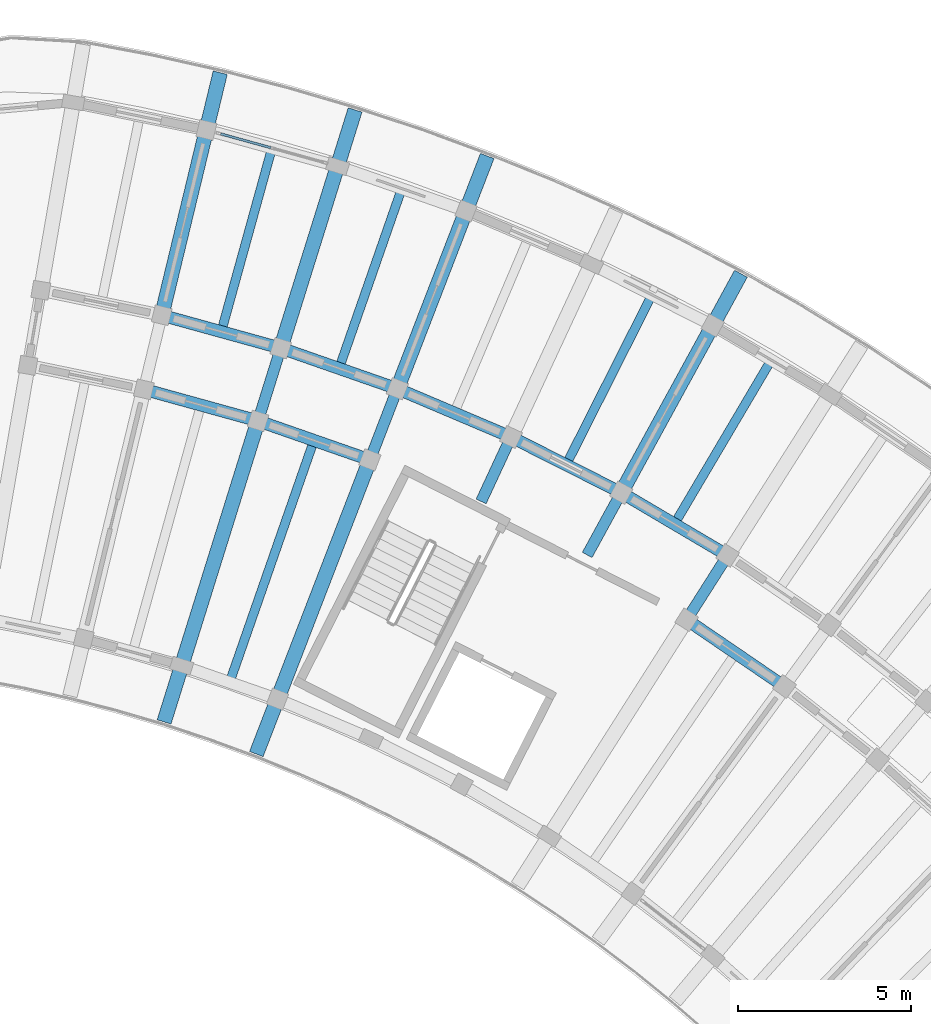
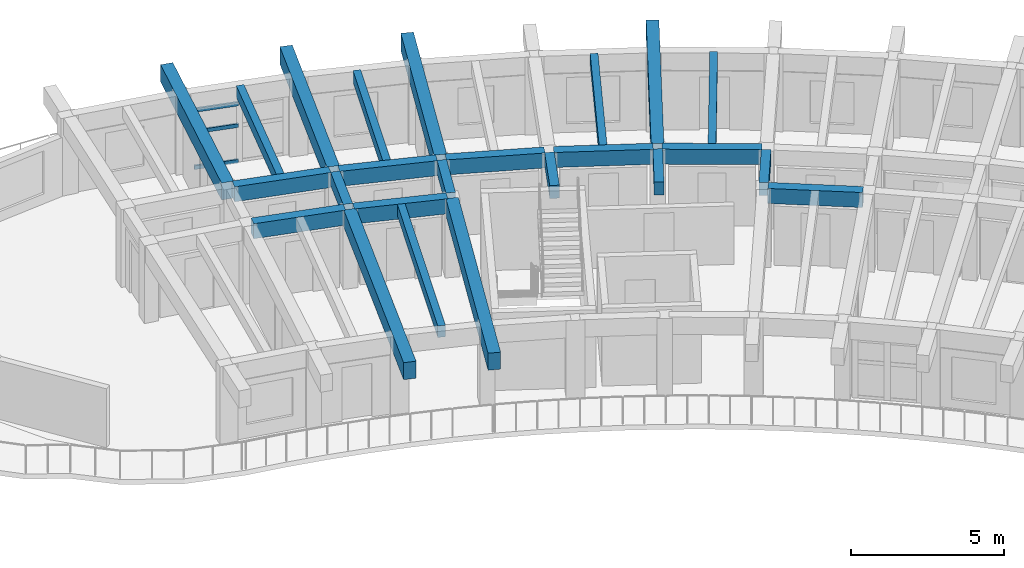
# One storey, part 29 of 83: 24 beams, 3 members, 1 element without a shape of its own.
"""IFC4 building model written with IfcOpenShell, lengths in metres."""

from ifc_helpers import new_model, si_unit, direction, frame, origin, origin_2d, place, context, subcontext, project, spatial, rectangle, hollow_rectangle, extrude, material, material_profile, profile_set, type_object, element, aggregate, save


model = new_model("IFC4")

# Units and contexts
model_context = context("Model", 3, precision=1e-05, world=origin(), true_north=direction((0.0, 1.0)))
body_context = subcontext(model_context, "Body", "Model", "MODEL_VIEW")
ifc_project = project(units=[si_unit("LENGTHUNIT", "METRE"), si_unit("AREAUNIT", "SQUARE_METRE"), si_unit("VOLUMEUNIT", "CUBIC_METRE"), si_unit("PLANEANGLEUNIT", "RADIAN"), si_unit("MASSUNIT", "GRAM", prefix="KILO")], contexts=[model_context])

# Site, building, storey
site_placement = place(None, origin())
site = spatial("IfcSite", under=ifc_project, at=site_placement, CompositionType="ELEMENT")
building_placement = place(site_placement, origin())
building = spatial("IfcBuilding", under=site, at=building_placement, Name="Tanwirah Colonnade Gardens", CompositionType="ELEMENT")
storey_placement = place(building_placement, frame((0.0, 0.0, 25.639892578125)))
storey = spatial("IfcBuildingStorey", under=building, at=storey_placement, Name="L07", CompositionType="ELEMENT", Elevation=25.639892578125)

# Beams
ifc_material_1 = material(Name="Precast concrete C40/50", Category="concrete")
ifc_material_profile_1 = material_profile(ifc_material_1, rectangle(XDim=0.320068359375, YDim=0.52001953125, at=origin_2d()), Name="PC-BM 320x520")
ifc_profile_set_1 = profile_set([ifc_material_profile_1], Name="Precast concrete C40/50")
beam_type_1 = type_object("IfcBeamType", Name="BM-PC320", PredefinedType="BEAM", material=ifc_profile_set_1)
for number, where, z_axis, x_axis, name in (
    (1, (148.89697265625, 104.08349609375, 2.85009765625), (0.536509579595, 0.843894229749, 0.0), (-0.843894229749, 0.536509579595, 0.0), "Block B L07 Corridor Tie Beam 11"),
    (2, (145.945068359375, 105.826171875, 2.85009765625), (0.479707235792, 0.877428611301, 0.0), (-0.877428611301, 0.479707235792, 0.0), "Block B L07 Corridor Tie Beam 12"),
    (3, (142.884765625, 107.37060546875, 2.85009765625), (0.420858322681, 0.90712638162, 0.0), (-0.90712638162, 0.420858322681, 0.0), "Block B L07 Corridor Tie Beam 13"),
    (4, (139.729248046875, 108.7099609375, 2.85009765625), (0.360175656082, 0.932884503444, 0.0), (-0.932884503444, 0.360175656082, 0.0), "Block B L07 Corridor Tie Beam 14"),
    (5, (136.492431640625, 109.838623046875, 2.85009765625), (0.297857918398, 0.954610213882, 0.0), (-0.954610213882, 0.297857918398, 0.0), "Block B L07 Corridor Tie Beam 15"),
):
    element("IfcBeam", number, at=place(storey_placement, frame(where, z_axis=z_axis, x_axis=x_axis)), inside=storey, type_object=beam_type_1, Name=name, PredefinedType="BEAM", context=body_context, shape_type="SweptSolid", body=[
        extrude(rectangle(XDim=0.320068359375, YDim=0.52001953125, at=origin_2d()), origin(), (0.0, 0.0, 1.0), 1.89990234375),
    ])
ifc_material_profile_2 = material_profile(ifc_material_1, rectangle(XDim=0.35009765625, YDim=0.60009765625, at=origin_2d()), Name="PC-BM 350x600")
ifc_profile_set_2 = profile_set([ifc_material_profile_2], Name="Precast concrete C40/50")
beam_type_2 = type_object("IfcBeamType", Name="BM-PC350B", PredefinedType="BEAM", material=ifc_profile_set_2)
beam_1_placement = place(storey_placement, frame((151.515380859375, 102.113525390625, 2.81005859375), z_axis=(-0.825758291455, 0.564024152047, 0.0), x_axis=(-0.564024152047, -0.825758291455, 0.0)))
element("IfcBeam", 6, at=beam_1_placement, inside=storey, type_object=beam_type_2, Name="Block B L07 Circumferential Beam 10-R1", PredefinedType="BEAM", context=body_context, shape_type="SweptSolid", body=[
    extrude(rectangle(XDim=0.35009765625, YDim=0.60009765625, at=origin_2d()), origin(), (0.0, 0.0, 1.0), 3.118408203125),
])
for number, where, z_axis, x_axis, name in (
    (7, (149.86767578125, 105.8896484375, 2.81005859375), (-0.861134978964, 0.508376384193, 0.0), (-0.508376384193, -0.861134978964, 0.0), "Block B L07 Circumferential Beam 11-R2"),
    (8, (146.794677734375, 107.6923828125, 2.81005859375), (-0.89276014323, 0.450532270387, 0.0), (-0.450532270387, -0.89276014323, 0.0), "Block B L07 Circumferential Beam 12-R2"),
):
    element("IfcBeam", number, at=place(storey_placement, frame(where, z_axis=z_axis, x_axis=x_axis)), inside=storey, type_object=beam_type_2, Name=name, PredefinedType="BEAM", context=body_context, shape_type="SweptSolid", body=[
        extrude(rectangle(XDim=0.35009765625, YDim=0.60009765625, at=origin_2d()), origin(), (0.0, 0.0, 1.0), 3.26318359375),
    ])
beam_2_placement = place(storey_placement, frame((143.609375, 109.288818359375, 2.81005859375), z_axis=(-0.920513294115, 0.390711242938, 0.0), x_axis=(-0.390711242938, -0.920513294115, 0.0)))
element("IfcBeam", 9, at=beam_2_placement, inside=storey, type_object=beam_type_2, Name="Block B L07 Circumferential Beam 13-R2", PredefinedType="BEAM", context=body_context, shape_type="SweptSolid", body=[
    extrude(rectangle(XDim=0.35009765625, YDim=0.60009765625, at=origin_2d()), origin(), (0.0, 0.0, 1.0), 3.262939453125),
])
beam_3_placement = place(storey_placement, frame((139.53369140625, 108.619384765625, 2.81005859375), z_axis=(-0.944248304077, 0.329234172358, 0.0), x_axis=(-0.329234172358, -0.944248304077, 0.0)))
element("IfcBeam", 10, at=beam_3_placement, inside=storey, type_object=beam_type_2, Name="Block B L07 Circumferential Beam 14-R1", PredefinedType="BEAM", context=body_context, shape_type="SweptSolid", body=[
    extrude(rectangle(XDim=0.35009765625, YDim=0.60009765625, at=origin_2d()), origin(), (0.0, 0.0, 1.0), 3.1181640625),
])
beam_4_placement = place(storey_placement, frame((140.325927734375, 110.671630859375, 2.81005859375), z_axis=(-0.944231021702, 0.329283734272, 0.0), x_axis=(-0.329283734272, -0.944231021702, 0.0)))
element("IfcBeam", 11, at=beam_4_placement, inside=storey, type_object=beam_type_2, Name="Block B L07 Circumferential Beam 14-R2", PredefinedType="BEAM", context=body_context, shape_type="SweptSolid", body=[
    extrude(rectangle(XDim=0.35009765625, YDim=0.60009765625, at=origin_2d()), origin(), (0.0, 0.0, 1.0), 3.262939453125),
])
beam_5_placement = place(storey_placement, frame((136.302978515625, 109.7353515625, 2.81005859375), z_axis=(-0.963889412906, 0.266302834548, 0.0), x_axis=(-0.266302834548, -0.963889412906, 0.0)))
element("IfcBeam", 12, at=beam_5_placement, inside=storey, type_object=beam_type_2, Name="Block B L07 Circumferential Beam 15-R1", PredefinedType="BEAM", context=body_context, shape_type="SweptSolid", body=[
    extrude(rectangle(XDim=0.35009765625, YDim=0.60009765625, at=origin_2d()), origin(), (0.0, 0.0, 1.0), 3.117919921875),
])
beam_6_placement = place(storey_placement, frame((136.95849609375, 111.83544921875, 2.81005859375), z_axis=(-0.9638953302, 0.266281415833, 0.0), x_axis=(-0.266281415833, -0.9638953302, 0.0)))
element("IfcBeam", 13, at=beam_6_placement, inside=storey, type_object=beam_type_2, Name="Block B L07 Circumferential Beam 15-R2", PredefinedType="BEAM", context=body_context, shape_type="SweptSolid", body=[
    extrude(rectangle(XDim=0.35009765625, YDim=0.60009765625, at=origin_2d()), origin(), (0.0, 0.0, 1.0), 3.26318359375),
])
ifc_material_2 = material(Name="Precast concrete C45/55", Category="concrete")
ifc_material_profile_3 = material_profile(ifc_material_2, rectangle(XDim=0.419921875, YDim=0.679931640625, at=origin_2d()), Name="PC-BM 420x680")
ifc_profile_set_3 = profile_set([ifc_material_profile_3], Name="Precast concrete C45/55")
beam_type_3 = type_object("IfcBeamType", Name="BM-PC420", PredefinedType="BEAM", material=ifc_profile_set_3)
beam_7_placement = place(storey_placement, frame((147.00048828125, 107.75634765625, 2.77001953125), z_axis=(0.479686549155, 0.877439920769, 0.0), x_axis=(-0.877439920769, 0.479686549155, 0.0)))
element("IfcBeam", 14, at=beam_7_placement, inside=storey, type_object=beam_type_3, Name="Block B L07 Outer Radial Precast Girder 12", PredefinedType="BEAM", context=body_context, shape_type="SweptSolid", body=[
    extrude(rectangle(XDim=0.419921875, YDim=0.679931640625, at=origin_2d()), origin(), (0.0, 0.0, 1.0), 7.050048828125),
])
beam_8_placement = place(storey_placement, frame((139.62109375, 108.43017578125, 2.77001953125), z_axis=(-0.360155980892, -0.932892099563, 0.0), x_axis=(0.932892099563, -0.360155980892, 0.0)))
element("IfcBeam", 15, at=beam_8_placement, inside=storey, type_object=beam_type_3, Name="Block B L07 Inner Radial Precast Girder 14", PredefinedType="BEAM", context=body_context, shape_type="SweptSolid", body=[
    extrude(rectangle(XDim=0.419921875, YDim=0.679931640625, at=origin_2d()), origin(), (0.0, 0.0, 1.0), 8.949951171875),
])
beam_9_placement = place(storey_placement, frame((140.521728515625, 110.76220703125, 2.77001953125), z_axis=(0.360150678391, 0.932894146651, 0.0), x_axis=(-0.932894146651, 0.360150678391, 0.0)))
element("IfcBeam", 16, at=beam_9_placement, inside=storey, type_object=beam_type_3, Name="Block B L07 Outer Radial Precast Girder 14", PredefinedType="BEAM", context=body_context, shape_type="SweptSolid", body=[
    extrude(rectangle(XDim=0.419921875, YDim=0.679931640625, at=origin_2d()), origin(), (0.0, 0.0, 1.0), 7.050048828125),
])
beam_10_placement = place(storey_placement, frame((136.403076171875, 109.55224609375, 2.77001953125), z_axis=(-0.29792861283, -0.9545881529, 0.0), x_axis=(0.9545881529, -0.29792861283, 0.0)))
element("IfcBeam", 17, at=beam_10_placement, inside=storey, type_object=beam_type_3, Name="Block B L07 Inner Radial Precast Girder 15", PredefinedType="BEAM", context=body_context, shape_type="SweptSolid", body=[
    extrude(rectangle(XDim=0.419921875, YDim=0.679931640625, at=origin_2d()), origin(), (0.0, 0.0, 1.0), 8.9501953125),
])
beam_11_placement = place(storey_placement, frame((137.147705078125, 111.938720703125, 2.77001953125), z_axis=(0.297957513373, 0.954579132511, 0.0), x_axis=(-0.954579132511, 0.297957513373, 0.0)))
element("IfcBeam", 18, at=beam_11_placement, inside=storey, type_object=beam_type_3, Name="Block B L07 Outer Radial Precast Girder 15", PredefinedType="BEAM", context=body_context, shape_type="SweptSolid", body=[
    extrude(rectangle(XDim=0.419921875, YDim=0.679931640625, at=origin_2d()), origin(), (0.0, 0.0, 1.0), 7.050048828125),
])
beam_12_placement = place(storey_placement, frame((133.703857421875, 112.89013671875, 2.77001953125), z_axis=(0.234378734126, 0.972145364125, 0.0), x_axis=(-0.972145364125, 0.234378734126, 0.0)))
element("IfcBeam", 19, at=beam_12_placement, inside=storey, type_object=beam_type_3, Name="Block B L07 Outer Radial Precast Girder 16", PredefinedType="BEAM", context=body_context, shape_type="SweptSolid", body=[
    extrude(rectangle(XDim=0.419921875, YDim=0.679931640625, at=origin_2d()), origin(), (0.0, 0.0, 1.0), 7.0498046875),
])

# Curtain wall, members
ifc_material_3 = material(Name="Bronze-anodised aluminium and solar-control low-E glass", Category="aluminium")
curtain_wall_type = type_object("IfcCurtainWallType", Name="CW-LOB", PredefinedType="NOTDEFINED", material=ifc_material_3)
curtain_wall_placement = place(storey_placement, origin())
curtain_wall = element("IfcCurtainWall", 20, at=curtain_wall_placement, inside=storey, type_object=curtain_wall_type, Name="Curtain Wall CW-B-L07-OUT-15", PredefinedType="NOTDEFINED")
ifc_material_4 = material(Name="Bronze-anodised aluminium", Category="aluminium")
ifc_material_profile_4 = material_profile(ifc_material_4, hollow_rectangle(XDim=0.070068359375, YDim=0.14990234375, WallThickness=0.00390625, at=origin_2d()), Name="CW-TRN 70x150x4")
ifc_profile_set_4 = profile_set([ifc_material_profile_4], Name="Bronze-anodised aluminium")
member_type = type_object("IfcMemberType", Name="CWT-70x150", PredefinedType="USERDEFINED", material=ifc_profile_set_4)
member_1_placement = place(storey_placement, frame((136.81591796875, 117.57763671875, 0.03515625), z_axis=(-0.963874363774, 0.26635729924, 0.0), x_axis=(-0.26635729924, -0.963874363774, 0.0)))
member_1 = element("IfcMember", 21, at=member_1_placement, type_object=member_type, Name="CW-LOB transom 2.1", ObjectType="TRANSOM", PredefinedType="USERDEFINED", context=body_context, shape_type="SweptSolid", body=[
    extrude(hollow_rectangle(XDim=0.070068359375, YDim=0.14990234375, WallThickness=0.00390625, at=origin_2d()), origin(), (0.0, 0.0, 1.0), 1.497802734375),
])
member_2_placement = place(storey_placement, frame((136.81591796875, 117.57763671875, 1.460205078125), z_axis=(-0.963874363774, 0.26635729924, 0.0), x_axis=(-0.26635729924, -0.963874363774, 0.0)))
member_2 = element("IfcMember", 22, at=member_2_placement, type_object=member_type, Name="CW-LOB transom 2.2", ObjectType="TRANSOM", PredefinedType="USERDEFINED", context=body_context, shape_type="SweptSolid", body=[
    extrude(hollow_rectangle(XDim=0.070068359375, YDim=0.14990234375, WallThickness=0.00390625, at=origin_2d()), origin(), (0.0, 0.0, 1.0), 1.497802734375),
])
member_3_placement = place(storey_placement, frame((136.81591796875, 117.57763671875, 2.320068359375), z_axis=(-0.963874363774, 0.26635729924, 0.0), x_axis=(-0.26635729924, -0.963874363774, 0.0)))
member_3 = element("IfcMember", 23, at=member_3_placement, type_object=member_type, Name="CW-LOB transom 2.3", ObjectType="TRANSOM", PredefinedType="USERDEFINED", context=body_context, shape_type="SweptSolid", body=[
    extrude(hollow_rectangle(XDim=0.070068359375, YDim=0.14990234375, WallThickness=0.00390625, at=origin_2d()), origin(), (0.0, 0.0, 1.0), 1.497802734375),
])
aggregate(curtain_wall, [member_1, member_2, member_3])

# Beams
ifc_material_profile_5 = material_profile(ifc_material_1, rectangle(XDim=0.260009765625, YDim=0.4599609375, at=origin_2d()), Name="PC-JST 260x460")
ifc_profile_set_5 = profile_set([ifc_material_profile_5], Name="Precast concrete C40/50")
beam_type_4 = type_object("IfcBeamType", Name="JST-PC260", PredefinedType="JOIST", material=ifc_profile_set_5)
for number, where, z_axis, x_axis, name in (
    (24, (148.53857421875, 106.84765625, 2.880126953125), (0.508360236823, 0.86114451146, 0.0), (-0.86114451146, 0.508360236823, 0.0), "Block B L07 Precast Floor Joist 11"),
    (25, (145.4052734375, 108.560791015625, 2.880126953125), (0.450533699488, 0.892759422031, 0.0), (-0.892759422031, 0.450533699488, 0.0), "Block B L07 Precast Floor Joist 12"),
):
    element("IfcBeam", number, at=place(storey_placement, frame(where, z_axis=z_axis, x_axis=x_axis)), inside=storey, type_object=beam_type_4, Name=name, PredefinedType="JOIST", context=body_context, shape_type="SweptSolid", body=[
        extrude(rectangle(XDim=0.260009765625, YDim=0.4599609375, at=origin_2d()), origin(), (0.0, 0.0, 1.0), 5.26025390625),
    ])
beam_13_placement = place(storey_placement, frame((138.83447265625, 111.349853515625, 2.880126953125), z_axis=(0.3292586038, 0.944239785131, 0.0), x_axis=(-0.944239785131, 0.3292586038, 0.0)))
element("IfcBeam", 26, at=beam_13_placement, inside=storey, type_object=beam_type_4, Name="Block B L07 Precast Floor Joist 14", PredefinedType="JOIST", context=body_context, shape_type="SweptSolid", body=[
    extrude(rectangle(XDim=0.260009765625, YDim=0.4599609375, at=origin_2d()), origin(), (0.0, 0.0, 1.0), 5.260009765625),
])
beam_14_placement = place(storey_placement, frame((135.673828125, 102.28515625, 2.880126953125), z_axis=(0.329250558112, 0.944242590642, 0.0), x_axis=(-0.944242590642, 0.329250558112, 0.0)))
element("IfcBeam", 27, at=beam_14_placement, inside=storey, type_object=beam_type_4, Name="Block B L07 Inner Precast Floor Joist 14", PredefinedType="JOIST", context=body_context, shape_type="SweptSolid", body=[
    extrude(rectangle(XDim=0.260009765625, YDim=0.4599609375, at=origin_2d()), origin(), (0.0, 0.0, 1.0), 7.159912109375),
])
beam_15_placement = place(storey_placement, frame((135.42578125, 112.413818359375, 2.880126953125), z_axis=(0.266281476085, 0.963895313555, 0.0), x_axis=(-0.963895313555, 0.266281476085, 0.0)))
element("IfcBeam", 28, at=beam_15_placement, inside=storey, type_object=beam_type_4, Name="Block B L07 Precast Floor Joist 15", PredefinedType="JOIST", context=body_context, shape_type="SweptSolid", body=[
    extrude(rectangle(XDim=0.260009765625, YDim=0.4599609375, at=origin_2d()), origin(), (0.0, 0.0, 1.0), 5.260009765625),
])

save(model, "model.ifc")
